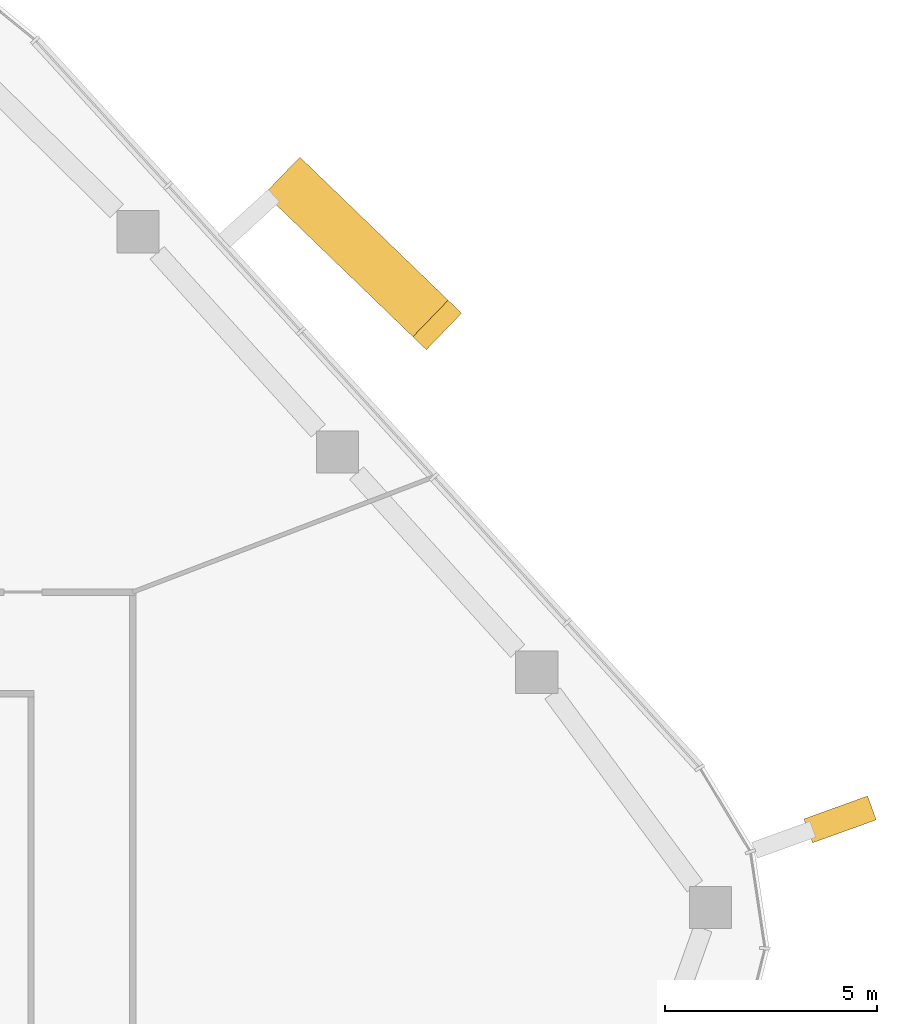
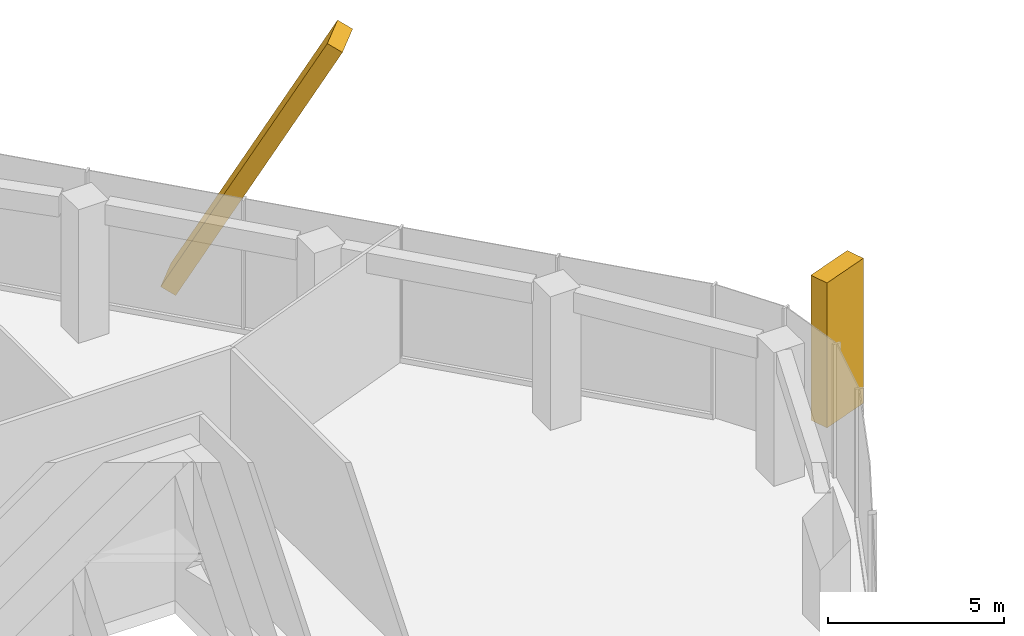
# One storey, part 19 of 20: 2 coverings, 2 elements without a shape of their own.
"""IFC4 building model written with IfcOpenShell, lengths in metres."""

import ifcopenshell
import ifcopenshell.guid

model = None  # the IFC model being written
_history = None  # IfcOwnerHistory: only IFC2X3 demands one
_inside = {}  # id of a spatial element -> (the spatial element, [elements in it])
_under = {}  # id of a project, library or spatial element -> (it, [spatial elements below it])
_declared = {}  # id of a project -> (the project, [libraries it declares])
_typed = {}  # id of a type object -> (the type object, [elements of that type])
_made_of = {}  # id of a material, layer set ... -> (it, [elements and type objects made of it])


def new_model(schema):
    """Start an empty IFC model of exactly this schema.

    Asked for "IFC4X3", IfcOpenShell would pick the latest addendum, in which some entities
    have other attributes; the version numbers below select the first issue.
    IFC2X3 requires an IfcOwnerHistory on every rooted entity: one is made here for all.
    """
    global model, _history
    if schema == "IFC4X3":
        model = ifcopenshell.file(schema_version=(4, 3, 0, 0))
    else:
        model = ifcopenshell.file(schema=schema)
    _inside.clear()
    _under.clear()
    _declared.clear()
    _typed.clear()
    _made_of.clear()
    _history = None
    if model.schema == "IFC2X3":
        org = make("IfcOrganization", Name="unknown")
        user = make(
            "IfcPersonAndOrganization",
            ThePerson=make("IfcPerson", FamilyName="unknown"),
            TheOrganization=org,
        )
        app = make(
            "IfcApplication",
            ApplicationDeveloper=org,
            Version="unknown",
            ApplicationFullName="unknown",
            ApplicationIdentifier="unknown",
        )
        _history = make(
            "IfcOwnerHistory",
            OwningUser=user,
            OwningApplication=app,
            ChangeAction="ADDED",
            CreationDate=0,
        )
    return model


def make(cls, **values):
    """One entity of the class cls with the attributes given. An attribute that is None is left unset."""
    return model.create_entity(
        cls, **{name: value for name, value in values.items() if value is not None}
    )


def rooted(cls, **values):
    """An entity with a GlobalId (a new one), such as an element, a storey or a relation."""
    return make(cls, GlobalId=ifcopenshell.guid.new(), OwnerHistory=_history, **values)


def si_unit(unit_type, name, prefix=None):
    """IfcSIUnit, for example si_unit("LENGTHUNIT", "METRE", prefix="MILLI")."""
    return make("IfcSIUnit", UnitType=unit_type, Prefix=prefix, Name=name)


def assignment(units):
    """IfcUnitAssignment: the units of a project."""
    return None if units is None else make("IfcUnitAssignment", Units=units)


def point(xyz):
    """IfcCartesianPoint."""
    return None if xyz is None else make("IfcCartesianPoint", Coordinates=xyz)


def direction(xyz):
    """IfcDirection."""
    return None if xyz is None else make("IfcDirection", DirectionRatios=xyz)


def frame(location, z_axis=None, x_axis=None):
    """IfcAxis2Placement3D, a coordinate frame: its origin and axes. An axis left out is left unset."""
    return make(
        "IfcAxis2Placement3D",
        Location=point(location),
        Axis=direction(z_axis),
        RefDirection=direction(x_axis),
    )


def frame_2d(location, x_axis=None):
    """IfcAxis2Placement2D, a coordinate frame in the plane: its origin and x axis."""
    return make(
        "IfcAxis2Placement2D", Location=point(location), RefDirection=direction(x_axis)
    )


def origin():
    """The frame at (0, 0, 0) with its axes left unset."""
    return frame((0.0, 0.0, 0.0))


def origin_2d():
    """The frame at (0, 0) in the plane with its x axis left unset."""
    return frame_2d((0.0, 0.0))


def place(relative_to, where):
    """IfcLocalPlacement: puts the frame where relative to a parent placement (None: the world)."""
    return make(
        "IfcLocalPlacement", PlacementRelTo=relative_to, RelativePlacement=where
    )


def context(
    kind, dimensions, precision=None, world=None, true_north=None, identifier=None
):
    """IfcGeometricRepresentationContext, for example the 3D "Model" context."""
    return make(
        "IfcGeometricRepresentationContext",
        ContextIdentifier=identifier,
        ContextType=kind,
        CoordinateSpaceDimension=dimensions,
        Precision=precision,
        WorldCoordinateSystem=world,
        TrueNorth=true_north,
    )


def subcontext(parent, identifier, kind, view, scale=None):
    """IfcGeometricRepresentationSubContext, for example "Body" below "Model"."""
    return make(
        "IfcGeometricRepresentationSubContext",
        ContextIdentifier=identifier,
        ContextType=kind,
        ParentContext=parent,
        TargetScale=scale,
        TargetView=view,
    )


def project(units=None, contexts=None):
    """IfcProject with its units and contexts."""
    return rooted(
        "IfcProject",
        Name="project",
        RepresentationContexts=contexts,
        UnitsInContext=assignment(units),
    )


def spatial(cls, under=None, at=None, **own):
    """A site, building, storey or space (cls), placed at a placement, below another one or the project."""
    s = rooted(cls, ObjectPlacement=at, **own)
    if under is not None:
        _under.setdefault(under.id(), (under, []))[1].append(s)
    return s


def profile(cls, at=None, kind="AREA", **sizes):
    """A parametric profile (cls). Its sizes go by their IFC names, for example OverallWidth=200.0."""
    return make(cls, ProfileType=kind, Position=at, **sizes)


def rectangle(**sizes):
    """IfcRectangleProfileDef."""
    return profile("IfcRectangleProfileDef", **sizes)


def extrude(swept, where, along, depth):
    """IfcExtrudedAreaSolid: the profile swept, set in the frame where, extruded along a direction by depth."""
    return make(
        "IfcExtrudedAreaSolid",
        SweptArea=swept,
        Position=where,
        ExtrudedDirection=direction(along),
        Depth=depth,
    )


def shape(context_of_items, identifier, shape_type, items):
    """IfcShapeRepresentation: the items that make up one representation, for example the "Body"."""
    return make(
        "IfcShapeRepresentation",
        ContextOfItems=context_of_items,
        RepresentationIdentifier=identifier,
        RepresentationType=shape_type,
        Items=items,
    )


def material(Name=None, Category=None):
    """IfcMaterial."""
    return make("IfcMaterial", Name=Name, Category=Category)


def layer(
    of_material, thickness, ventilated=None, Name=None, Category=None, Priority=None
):
    """IfcMaterialLayer: one layer of a wall or slab, of a material (None: an air gap)."""
    return make(
        "IfcMaterialLayer",
        Material=of_material,
        LayerThickness=thickness,
        IsVentilated=ventilated,
        Name=Name,
        Category=Category,
        Priority=Priority,
    )


def layer_set(layers, Name=None):
    """IfcMaterialLayerSet."""
    return make("IfcMaterialLayerSet", MaterialLayers=layers, LayerSetName=Name)


def material_profile(
    of_material, cross_section, Name=None, Category=None, Priority=None
):
    """IfcMaterialProfile: a cross section and its material."""
    return make(
        "IfcMaterialProfile",
        Name=Name,
        Material=of_material,
        Profile=cross_section,
        Priority=Priority,
        Category=Category,
    )


def profile_set(profiles, Name=None, composite=None):
    """IfcMaterialProfileSet."""
    return make(
        "IfcMaterialProfileSet",
        Name=Name,
        MaterialProfiles=profiles,
        CompositeProfile=composite,
    )


def made_of(thing, what):
    """Note that an element or type object is made of a material, layer set ...; save() writes the relation."""
    if what is not None:
        _made_of.setdefault(what.id(), (what, []))[1].append(thing)
    return thing


def type_object(cls, material=None, **own):
    """A type object (cls), such as IfcWallType, which elements share."""
    return made_of(rooted(cls, **own), material)


def element(
    cls,
    number,
    at=None,
    inside=None,
    cuts=None,
    type_object=None,
    material=None,
    context=None,
    identifier="Body",
    shape_type=None,
    held_by="IfcProductDefinitionShape",
    body=None,
    shapes=None,
    **own,
):
    """One element of the class cls, such as IfcWall. Its Tag is "e" and its number.

    at: its placement. inside: the storey or other place that contains it. cuts: it is an
    opening in that element (IfcRelVoidsElement). A single representation is given by context,
    identifier, shape_type and body (its items); several are given by shapes. held_by: the class
    of the entity that holds the representations. save() writes the other relations.
    """
    e = rooted(cls, Tag="e%d" % number, ObjectPlacement=at, **own)
    if body is not None:
        shapes = [shape(context, identifier, shape_type, body)]
    if shapes is not None:
        e.Representation = make(held_by, Representations=shapes)
    if inside is not None:
        _inside.setdefault(inside.id(), (inside, []))[1].append(e)
    if cuts is not None:
        rooted(
            "IfcRelVoidsElement", RelatingBuildingElement=cuts, RelatedOpeningElement=e
        )
    if type_object is not None:
        _typed.setdefault(type_object.id(), (type_object, []))[1].append(e)
    return made_of(e, material)


def aggregate(whole, parts):
    """IfcRelAggregates: a whole, such as a stair, and the parts it consists of."""
    return rooted("IfcRelAggregates", RelatingObject=whole, RelatedObjects=parts)


def save(model, path):
    """Write the relations noted so far, then the file.

    IfcRelAggregates (storeys below a building ...), IfcRelContainedInSpatialStructure (elements
    in a storey), IfcRelDefinesByType, IfcRelAssociatesMaterial and IfcRelDeclares: one each for
    every whole, place, type object, material and project.
    """
    for whole, parts in _under.values():
        aggregate(whole, parts)
    for where, things in _inside.values():
        rooted(
            "IfcRelContainedInSpatialStructure",
            RelatedElements=things,
            RelatingStructure=where,
        )
    for kind, things in _typed.values():
        rooted("IfcRelDefinesByType", RelatedObjects=things, RelatingType=kind)
    for what, things in _made_of.values():
        rooted("IfcRelAssociatesMaterial", RelatedObjects=things, RelatingMaterial=what)
    for by, libraries in _declared.values():
        rooted("IfcRelDeclares", RelatingContext=by, RelatedDefinitions=libraries)
    model.write(path)


model = new_model("IFC4")

# Units and contexts
model_context = context("Model", 3, precision=1e-05, world=origin(), true_north=direction((0.0, 1.0)))
body_context = subcontext(model_context, "Body", "Model", "MODEL_VIEW")
ifc_project = project(units=[si_unit("LENGTHUNIT", "METRE"), si_unit("AREAUNIT", "SQUARE_METRE"), si_unit("VOLUMEUNIT", "CUBIC_METRE"), si_unit("PLANEANGLEUNIT", "RADIAN"), si_unit("MASSUNIT", "GRAM", prefix="KILO")], contexts=[model_context])

# Site, building, storey
site_placement = place(None, origin())
site = spatial("IfcSite", under=ifc_project, at=site_placement, CompositionType="ELEMENT")
building_placement = place(site_placement, origin())
building = spatial("IfcBuilding", under=site, at=building_placement, Name="Dongbaek Canopy Tower", CompositionType="ELEMENT")
storey_placement = place(building_placement, frame((0.0, 0.0, 289.199951171875)))
storey = spatial("IfcBuildingStorey", under=building, at=storey_placement, Name="L61", CompositionType="ELEMENT", Elevation=289.199951171875)

# Curtain wall, covering
ifc_material_1 = material(Name="Aluminium 6063-T6 pale anodised", Category="aluminium")
ifc_layer = layer(ifc_material_1, 0.25)
ifc_layer_set = layer_set([ifc_layer], Name="CW-4 sky-lobby curtain wall")
curtain_wall_type = type_object("IfcCurtainWallType", Name="CW-4 sky-lobby curtain wall", PredefinedType="NOTDEFINED", material=ifc_layer_set)
curtain_wall_1_placement = place(storey_placement, origin())
curtain_wall_1 = element("IfcCurtainWall", 1, at=curtain_wall_1_placement, inside=storey, type_object=curtain_wall_type, Name="CW-4 curtain wall K0.1", PredefinedType="NOTDEFINED")
ifc_material_2 = material(Name="Aluminium 6063-T6 pale metal fin", Category="aluminium")
ifc_material_profile_1 = material_profile(ifc_material_2, rectangle(XDim=1.60009765625, YDim=0.60009765625, at=origin_2d()), Name="Corner fin CN1 600 x 1600 pale metal")
ifc_profile_set_1 = profile_set([ifc_material_profile_1], Name="Aluminium 6063-T6 pale metal fin")
covering_type_1 = type_object("IfcCoveringType", Name="Corner fin CN1 600 x 1600 pale metal", PredefinedType="CLADDING", material=ifc_profile_set_1)
covering_1_placement = place(storey_placement, frame((33.8671875, 8.778076171875, -0.224853515625), z_axis=(0.0, 0.0, 1.0), x_axis=(0.940605546846, 0.339501406834, 0.0)))
covering_1 = element("IfcCovering", 2, at=covering_1_placement, type_object=covering_type_1, Name="Corner fin L61 L61 K0", PredefinedType="CLADDING", context=body_context, shape_type="SweptSolid", body=[
    extrude(rectangle(XDim=1.60009765625, YDim=0.60009765625, at=origin_2d()), origin(), (0.0, 0.0, 1.0), 5.014892578125),
])
aggregate(curtain_wall_1, [covering_1])

curtain_wall_2_placement = place(storey_placement, origin())
curtain_wall_2 = element("IfcCurtainWall", 3, at=curtain_wall_2_placement, inside=storey, type_object=curtain_wall_type, Name="CW-4 curtain wall F0.1", PredefinedType="NOTDEFINED")
ifc_material_3 = material(Name="Aluminium 6063-T6 pale metal fin", Category="aluminium")
ifc_material_profile_2 = material_profile(ifc_material_3, rectangle(XDim=1.199951171875, YDim=0.5, at=origin_2d()), Name="Crease fin CF1 500 x 1200 pale metal")
ifc_profile_set_2 = profile_set([ifc_material_profile_2], Name="Aluminium 6063-T6 pale metal fin")
covering_type_2 = type_object("IfcCoveringType", Name="Crease fin CF1 500 x 1200 pale metal", PredefinedType="CLADDING", material=ifc_profile_set_2)
covering_2_placement = place(storey_placement, frame((20.84521484375, 23.843017578125, -0.224853515625), z_axis=(0.33554278276, -0.323873152945, 0.884600034897), x_axis=(0.694484429264, 0.719507732766, 0.0)))
covering_2 = element("IfcCovering", 4, at=covering_2_placement, type_object=covering_type_2, Name="Crease fin L61 L63 F0", PredefinedType="CLADDING", context=body_context, shape_type="SweptSolid", body=[
    extrude(rectangle(XDim=1.199951171875, YDim=0.5, at=origin_2d()), origin(), (0.0, 0.0, 1.0), 10.439697265625),
])
aggregate(curtain_wall_2, [covering_2])

save(model, "model.ifc")
